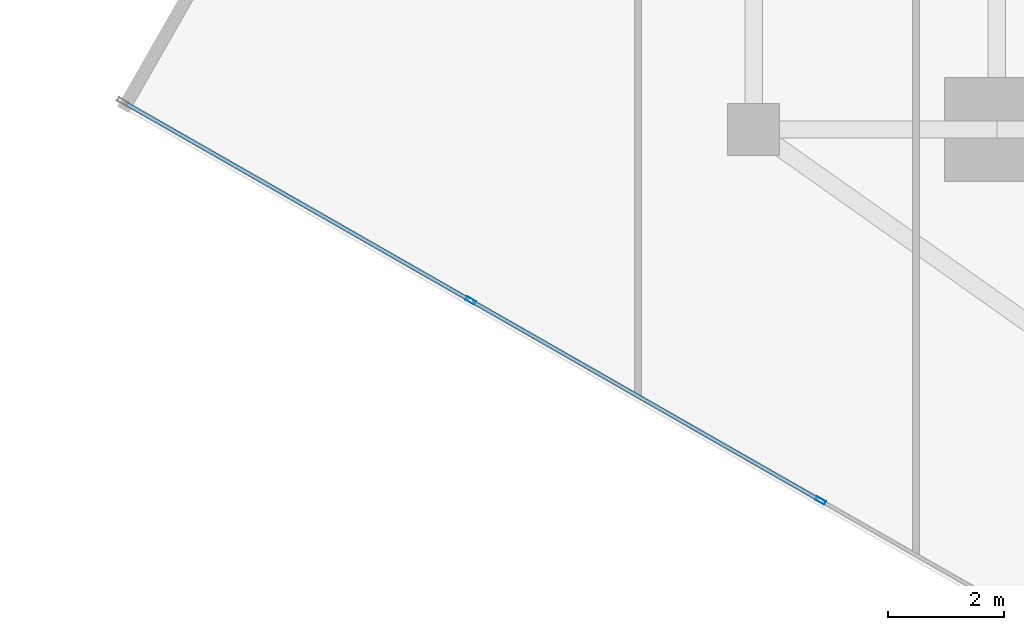
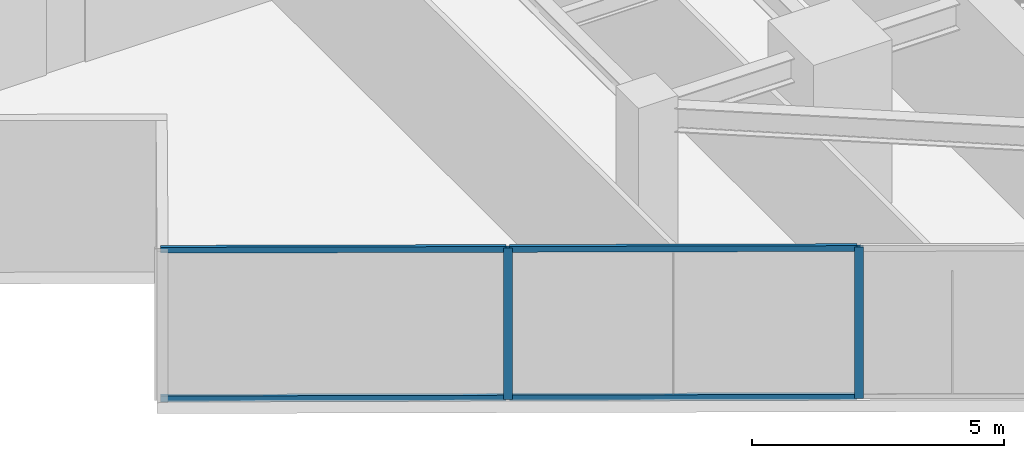
# One storey, part 2 of 24: 6 members, 1 element without a shape of its own.
"""IFC4 building model written with IfcOpenShell, lengths in metres."""

from ifc_helpers import new_model, si_unit, direction, frame, origin, origin_2d, place, context, subcontext, project, spatial, hollow_rectangle, extrude, source, transform, mapped, material, material_profile, profile_set, type_object, type_shapes, element, aggregate, save


model = new_model("IFC4")

# Units and contexts
model_context = context("Model", 3, precision=1e-05, world=origin(), true_north=direction((0.0, 1.0)))
body_context = subcontext(model_context, "Body", "Model", "MODEL_VIEW")
ifc_project = project(units=[si_unit("LENGTHUNIT", "METRE"), si_unit("AREAUNIT", "SQUARE_METRE"), si_unit("VOLUMEUNIT", "CUBIC_METRE"), si_unit("PLANEANGLEUNIT", "RADIAN"), si_unit("MASSUNIT", "GRAM", prefix="KILO")], contexts=[model_context])

# Site, building, storey
site_placement = place(None, origin())
site = spatial("IfcSite", under=ifc_project, at=site_placement, CompositionType="ELEMENT")
building_placement = place(site_placement, origin())
building = spatial("IfcBuilding", under=site, at=building_placement, Name="Krantzveldt Concourse Tower", CompositionType="ELEMENT")
storey_placement = place(building_placement, frame((0.0, 0.0, 165.949951171875)))
storey = spatial("IfcBuildingStorey", under=building, at=storey_placement, Name="L40", CompositionType="ELEMENT", Elevation=165.949951171875)

# Curtain wall, members
ifc_material = material(Name="Anodised aluminium 6063-T6", Category="aluminium")
curtain_wall_type = type_object("IfcCurtainWallType", Name="CW3", PredefinedType="USERDEFINED", material=ifc_material)
curtain_wall_placement = place(storey_placement, origin())
curtain_wall = element("IfcCurtainWall", 1, at=curtain_wall_placement, inside=storey, type_object=curtain_wall_type, Name="CW-L40-F08", ObjectType="UNITISED CURTAIN WALL", PredefinedType="USERDEFINED")
ifc_material_profile_1 = material_profile(ifc_material, hollow_rectangle(XDim=0.070068359375, YDim=0.179931640625, WallThickness=0.0048828125, at=origin_2d()), Name="Anodised aluminium 6063-T6", Category="aluminium")
ifc_profile_set_1 = profile_set([ifc_material_profile_1], Name="Anodised aluminium 6063-T6 - ALU-MULL 180x70x5")
member_type_1 = type_object("IfcMemberType", Name="CW-MUL-180", PredefinedType="MULLION", material=ifc_profile_set_1)
shared_shape_1 = source(origin(), body_context, "Body", "SweptSolid", [
    extrude(hollow_rectangle(XDim=0.070068359375, YDim=0.179931640625, WallThickness=0.0048828125, at=origin_2d()), origin(), (0.0, 0.0, 1.0), 3.670166015625),
])
type_shapes(member_type_1, [shared_shape_1])
member_1_placement = place(storey_placement, frame((16.113525390625, 12.945068359375, 0.0), z_axis=(0.0, 0.0, 1.0), x_axis=(0.496216394392, 0.868198876949, 0.0)))
member_1 = element("IfcMember", 2, at=member_1_placement, type_object=member_type_1, Name="CW-Z34 mullion 2", PredefinedType="MULLION", context=body_context, shape_type="MappedRepresentation", body=[
    mapped(shared_shape_1, transform((0.0, 0.0, 0.0), x_axis=(1.0, 0.0, 0.0), y_axis=(0.0, 1.0, 0.0), z_axis=(0.0, 0.0, 1.0), scale=1.0)),
])
member_2_placement = place(storey_placement, frame((22.15625, 9.491455078125, 0.0), z_axis=(0.0, 0.0, 1.0), x_axis=(0.496216394392, 0.868198876949, 0.0)))
member_2 = element("IfcMember", 3, at=member_2_placement, type_object=member_type_1, Name="CW-Z34 mullion 3", PredefinedType="MULLION", context=body_context, shape_type="MappedRepresentation", body=[
    mapped(shared_shape_1, transform((0.0, 0.0, 0.0), x_axis=(1.0, 0.0, 0.0), y_axis=(0.0, 1.0, 0.0), z_axis=(0.0, 0.0, 1.0), scale=1.0)),
])
ifc_material_profile_2 = material_profile(ifc_material, hollow_rectangle(XDim=0.070068359375, YDim=0.139892578125, WallThickness=0.0048828125, at=origin_2d()), Name="Anodised aluminium 6063-T6", Category="aluminium")
ifc_profile_set_2 = profile_set([ifc_material_profile_2], Name="Anodised aluminium 6063-T6 - ALU-TRAN 140x70x5")
member_type_2 = type_object("IfcMemberType", Name="CW-TRN-150", PredefinedType="USERDEFINED", material=ifc_profile_set_2)
shared_shape_2 = source(origin(), body_context, "Body", "SweptSolid", [
    extrude(hollow_rectangle(XDim=0.070068359375, YDim=0.139892578125, WallThickness=0.0048828125, at=origin_2d()), origin(), (0.0, 0.0, 1.0), 6.89013671875),
])
member_3_placement = place(storey_placement, frame((16.143798828125, 12.927734375, 0.03515625), z_axis=(0.868199527911, -0.496215255443, 0.0), x_axis=(0.496215255443, 0.868199527911, 0.0)))
member_3 = element("IfcMember", 4, at=member_3_placement, type_object=member_type_2, Name="CW-Z34 transom 2.1", ObjectType="TRANSOM", PredefinedType="USERDEFINED", context=body_context, shape_type="MappedRepresentation", body=[
    mapped(shared_shape_2, transform((0.0, 0.0, 0.0), x_axis=(1.0, 0.0, 0.0), y_axis=(0.0, 1.0, 0.0), z_axis=(0.0, 0.0, 1.0), scale=1.0)),
])
member_4_placement = place(storey_placement, frame((16.143798828125, 12.927734375, 3.635009765625), z_axis=(0.868199527911, -0.496215255443, 0.0), x_axis=(0.496215255443, 0.868199527911, 0.0)))
member_4 = element("IfcMember", 5, at=member_4_placement, type_object=member_type_2, Name="CW-Z34 transom 2.2", ObjectType="TRANSOM", PredefinedType="USERDEFINED", context=body_context, shape_type="MappedRepresentation", body=[
    mapped(shared_shape_2, transform((0.0, 0.0, 0.0), x_axis=(1.0, 0.0, 0.0), y_axis=(0.0, 1.0, 0.0), z_axis=(0.0, 0.0, 1.0), scale=1.0)),
])
shared_shape_3 = source(origin(), body_context, "Body", "SweptSolid", [
    extrude(hollow_rectangle(XDim=0.070068359375, YDim=0.139892578125, WallThickness=0.0048828125, at=origin_2d()), origin(), (0.0, 0.0, 1.0), 6.855224609375),
])
type_shapes(member_type_2, [shared_shape_2, shared_shape_3])
member_5_placement = place(storey_placement, frame((10.131591796875, 16.364013671875, 0.03515625), z_axis=(0.868201497918, -0.496211808618, 0.0), x_axis=(0.496211808618, 0.868201497918, 0.0)))
member_5 = element("IfcMember", 6, at=member_5_placement, type_object=member_type_2, Name="CW-Z34 transom 1.1", ObjectType="TRANSOM", PredefinedType="USERDEFINED", context=body_context, shape_type="MappedRepresentation", body=[
    mapped(shared_shape_3, transform((0.0, 0.0, 0.0), x_axis=(1.0, 0.0, 0.0), y_axis=(0.0, 1.0, 0.0), z_axis=(0.0, 0.0, 1.0), scale=1.0)),
])
member_6_placement = place(storey_placement, frame((10.131591796875, 16.364013671875, 3.635009765625), z_axis=(0.868201497918, -0.496211808618, 0.0), x_axis=(0.496211808618, 0.868201497918, 0.0)))
member_6 = element("IfcMember", 7, at=member_6_placement, type_object=member_type_2, Name="CW-Z34 transom 1.2", ObjectType="TRANSOM", PredefinedType="USERDEFINED", context=body_context, shape_type="MappedRepresentation", body=[
    mapped(shared_shape_3, transform((0.0, 0.0, 0.0), x_axis=(1.0, 0.0, 0.0), y_axis=(0.0, 1.0, 0.0), z_axis=(0.0, 0.0, 1.0), scale=1.0)),
])
aggregate(curtain_wall, [member_1, member_2, member_5, member_6, member_3, member_4])

save(model, "model.ifc")
